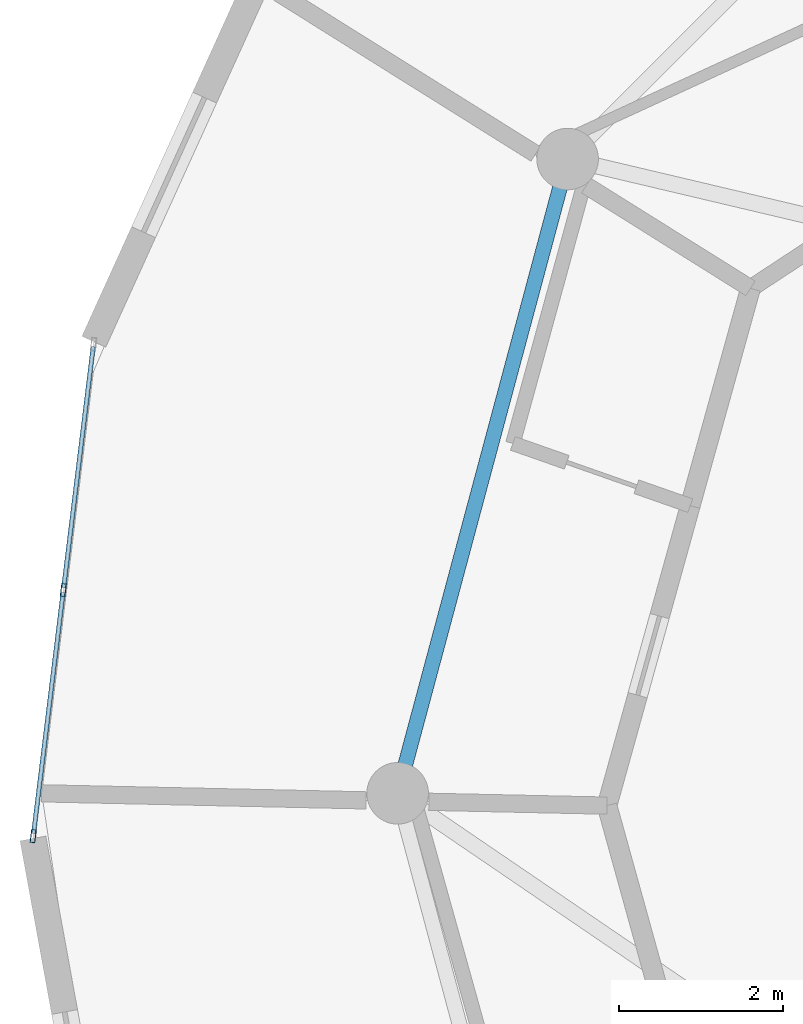
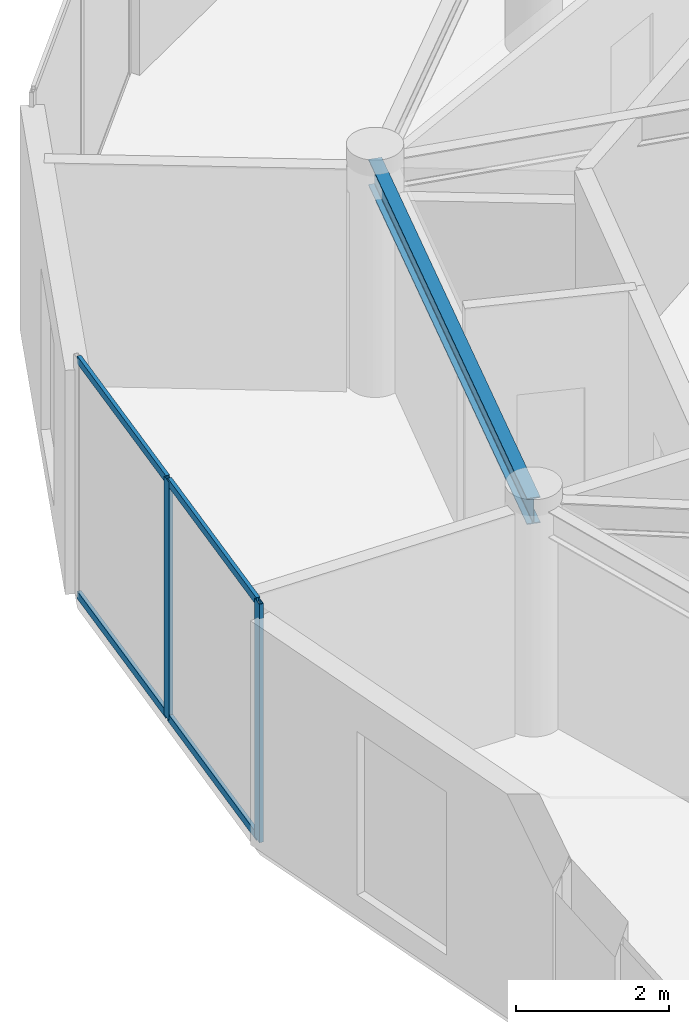
# One storey, part 7 of 18: 6 members, 1 beam, 1 element without a shape of its own.
"""IFC4 building model written with IfcOpenShell, lengths in metres."""

from ifc_helpers import new_model, si_unit, direction, frame, origin, origin_2d, place, context, subcontext, project, spatial, hollow_rectangle, i_section, extrude, source, transform, mapped, material, layer, layer_set, material_profile, profile_set, type_object, element, aggregate, save


model = new_model("IFC4")

# Units and contexts
model_context = context("Model", 3, precision=1e-05, world=origin(), true_north=direction((0.0, 1.0)))
body_context = subcontext(model_context, "Body", "Model", "MODEL_VIEW")
ifc_project = project(units=[si_unit("LENGTHUNIT", "METRE"), si_unit("AREAUNIT", "SQUARE_METRE"), si_unit("VOLUMEUNIT", "CUBIC_METRE"), si_unit("PLANEANGLEUNIT", "RADIAN"), si_unit("MASSUNIT", "GRAM", prefix="KILO")], contexts=[model_context])

# Site, building, storey
site_placement = place(None, origin())
site = spatial("IfcSite", under=ifc_project, at=site_placement, CompositionType="ELEMENT")
building_placement = place(site_placement, origin())
building = spatial("IfcBuilding", under=site, at=building_placement, Name="Solvirekh Grand Hotel", CompositionType="ELEMENT")
storey_placement = place(building_placement, frame((0.0, 0.0, 274.39990234375)))
storey = spatial("IfcBuildingStorey", under=building, at=storey_placement, Name="L71", CompositionType="ELEMENT", Elevation=274.39990234375)

# Beam
ifc_material_1 = material(Name="Steel S355", Category="steel")
ifc_material_profile_1 = material_profile(ifc_material_1, i_section(OverallWidth=0.180908203125, OverallDepth=0.4169921875, WebThickness=0.010009765625, FlangeThickness=0.01611328125, FilletRadius=0.011962890625, at=origin_2d()), Name="W410X85")
ifc_profile_set_1 = profile_set([ifc_material_profile_1], Name="Steel S355")
beam_type = type_object("IfcBeamType", Name="Spandrel_Ring_W410", PredefinedType="SPANDREL", material=ifc_profile_set_1)
beam_placement = place(storey_placement, frame((-13.3798828125, 7.72509765625, 3.362060546875), z_axis=(-0.258834757072, -0.965921616143, 0.0), x_axis=(0.965921616143, -0.258834757072, 0.0)))
element("IfcBeam", 1, at=beam_placement, inside=storey, type_object=beam_type, Name="L71 perimeter spandrel beam 6", PredefinedType="SPANDREL", context=body_context, shape_type="SweptSolid", body=[
    extrude(i_section(OverallWidth=0.180908203125, OverallDepth=0.4169921875, WebThickness=0.010009765625, FlangeThickness=0.01611328125, FilletRadius=0.011962890625, at=origin_2d()), origin(), (0.0, 0.0, 1.0), 7.99755859375),
])

# Curtain wall, members
ifc_material_2 = material(Name="Anodized Bronze Aluminium 6063-T6", Category="aluminium")
ifc_layer = layer(ifc_material_2, 0.159912109375)
ifc_layer_set = layer_set([ifc_layer], Name="Anodized Bronze Aluminium 6063-T6")
curtain_wall_type = type_object("IfcCurtainWallType", Name="CW_Sys4_HighZoneFlushBronzeCW", PredefinedType="NOTDEFINED", material=ifc_layer_set)
curtain_wall_placement = place(storey_placement, origin())
curtain_wall = element("IfcCurtainWall", 2, at=curtain_wall_placement, inside=storey, type_object=curtain_wall_type, Name="L71 unitised bronze-glass curtain wall CW-L71-C15", PredefinedType="NOTDEFINED")
ifc_material_profile_2 = material_profile(ifc_material_2, hollow_rectangle(XDim=0.06005859375, YDim=0.159912109375, WallThickness=0.0048828125, at=origin_2d()), Name="ALU RHS 160X60X5")
ifc_profile_set_2 = profile_set([ifc_material_profile_2], Name="Anodized Bronze Aluminium 6063-T6")
member_type_1 = type_object("IfcMemberType", Name="CWMullion_Sys4", PredefinedType="MULLION", material=ifc_profile_set_2)
shared_shape_1 = source(origin(), body_context, "Body", "SweptSolid", [
    extrude(hollow_rectangle(XDim=0.06005859375, YDim=0.159912109375, WallThickness=0.0048828125, at=origin_2d()), origin(), (0.0, 0.0, 1.0), 3.800048828125),
])
member_1_placement = place(storey_placement, frame((-19.521484375, 2.47509765625, 0.0), z_axis=(0.0, 0.0, 1.0), x_axis=(0.992582752873, -0.121570879322, 0.0)))
member_1 = element("IfcMember", 3, at=member_1_placement, type_object=member_type_1, Name="U04 mullion 2", PredefinedType="MULLION", context=body_context, shape_type="MappedRepresentation", body=[
    mapped(shared_shape_1, transform((0.0, 0.0, 0.0), x_axis=(1.0, 0.0, 0.0), y_axis=(0.0, 1.0, 0.0), z_axis=(0.0, 0.0, 1.0), scale=1.0)),
])
member_2_placement = place(storey_placement, frame((-19.888427734375, -0.520263671875, 0.0), z_axis=(0.0, 0.0, 1.0), x_axis=(0.992582752873, -0.121570879322, 0.0)))
member_2 = element("IfcMember", 4, at=member_2_placement, type_object=member_type_1, Name="U04 mullion 3", PredefinedType="MULLION", context=body_context, shape_type="MappedRepresentation", body=[
    mapped(shared_shape_1, transform((0.0, 0.0, 0.0), x_axis=(1.0, 0.0, 0.0), y_axis=(0.0, 1.0, 0.0), z_axis=(0.0, 0.0, 1.0), scale=1.0)),
])
ifc_material_profile_3 = material_profile(ifc_material_2, hollow_rectangle(XDim=0.054931640625, YDim=0.1201171875, WallThickness=0.00390625, at=origin_2d()), Name="ALU RHS 120X55X4")
ifc_profile_set_3 = profile_set([ifc_material_profile_3], Name="Anodized Bronze Aluminium 6063-T6")
member_type_2 = type_object("IfcMemberType", Name="CWTransom_Sys4", PredefinedType="USERDEFINED", material=ifc_profile_set_3)
shared_shape_2 = source(origin(), body_context, "Body", "SweptSolid", [
    extrude(hollow_rectangle(XDim=0.054931640625, YDim=0.1201171875, WallThickness=0.00390625, at=origin_2d()), origin(), (0.0, 0.0, 1.0), 2.957763671875),
])
member_3_placement = place(storey_placement, frame((-19.525146484375, 2.4453125, 0.027587890625), z_axis=(-0.121586001381, -0.992580900616, 0.0), x_axis=(0.992580900616, -0.121586001381, 0.0)))
member_3 = element("IfcMember", 5, at=member_3_placement, type_object=member_type_2, Name="U04 transom 2.1", ObjectType="TRANSOM", PredefinedType="USERDEFINED", context=body_context, shape_type="MappedRepresentation", body=[
    mapped(shared_shape_2, transform((0.0, 0.0, 0.0), x_axis=(1.0, 0.0, 0.0), y_axis=(0.0, 1.0, 0.0), z_axis=(0.0, 0.0, 1.0), scale=1.0)),
])
member_4_placement = place(storey_placement, frame((-19.525146484375, 2.4453125, 3.772705078125), z_axis=(-0.121586001381, -0.992580900616, 0.0), x_axis=(0.992580900616, -0.121586001381, 0.0)))
member_4 = element("IfcMember", 6, at=member_4_placement, type_object=member_type_2, Name="U04 transom 2.2", ObjectType="TRANSOM", PredefinedType="USERDEFINED", context=body_context, shape_type="MappedRepresentation", body=[
    mapped(shared_shape_2, transform((0.0, 0.0, 0.0), x_axis=(1.0, 0.0, 0.0), y_axis=(0.0, 1.0, 0.0), z_axis=(0.0, 0.0, 1.0), scale=1.0)),
])
shared_shape_3 = source(origin(), body_context, "Body", "SweptSolid", [
    extrude(hollow_rectangle(XDim=0.054931640625, YDim=0.1201171875, WallThickness=0.00390625, at=origin_2d()), origin(), (0.0, 0.0, 1.0), 2.95751953125),
])
member_5_placement = place(storey_placement, frame((-19.158203125, 5.4404296875, 0.027587890625), z_axis=(-0.121595963819, -0.992579680219, 0.0), x_axis=(0.992579680219, -0.121595963819, 0.0)))
member_5 = element("IfcMember", 7, at=member_5_placement, type_object=member_type_2, Name="U04 transom 1.1", ObjectType="TRANSOM", PredefinedType="USERDEFINED", context=body_context, shape_type="MappedRepresentation", body=[
    mapped(shared_shape_3, transform((0.0, 0.0, 0.0), x_axis=(1.0, 0.0, 0.0), y_axis=(0.0, 1.0, 0.0), z_axis=(0.0, 0.0, 1.0), scale=1.0)),
])
member_6_placement = place(storey_placement, frame((-19.158203125, 5.4404296875, 3.772705078125), z_axis=(-0.121595963819, -0.992579680219, 0.0), x_axis=(0.992579680219, -0.121595963819, 0.0)))
member_6 = element("IfcMember", 8, at=member_6_placement, type_object=member_type_2, Name="U04 transom 1.2", ObjectType="TRANSOM", PredefinedType="USERDEFINED", context=body_context, shape_type="MappedRepresentation", body=[
    mapped(shared_shape_3, transform((0.0, 0.0, 0.0), x_axis=(1.0, 0.0, 0.0), y_axis=(0.0, 1.0, 0.0), z_axis=(0.0, 0.0, 1.0), scale=1.0)),
])
aggregate(curtain_wall, [member_1, member_2, member_5, member_6, member_3, member_4])

save(model, "model.ifc")
